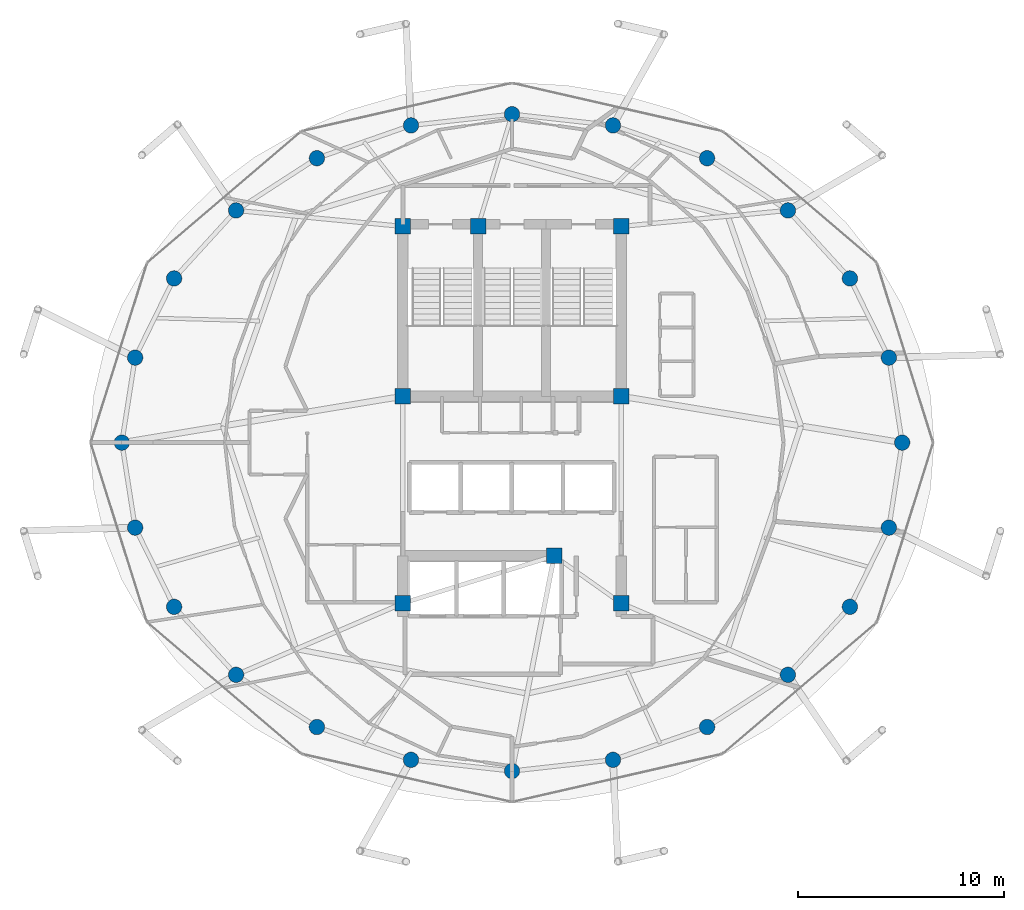
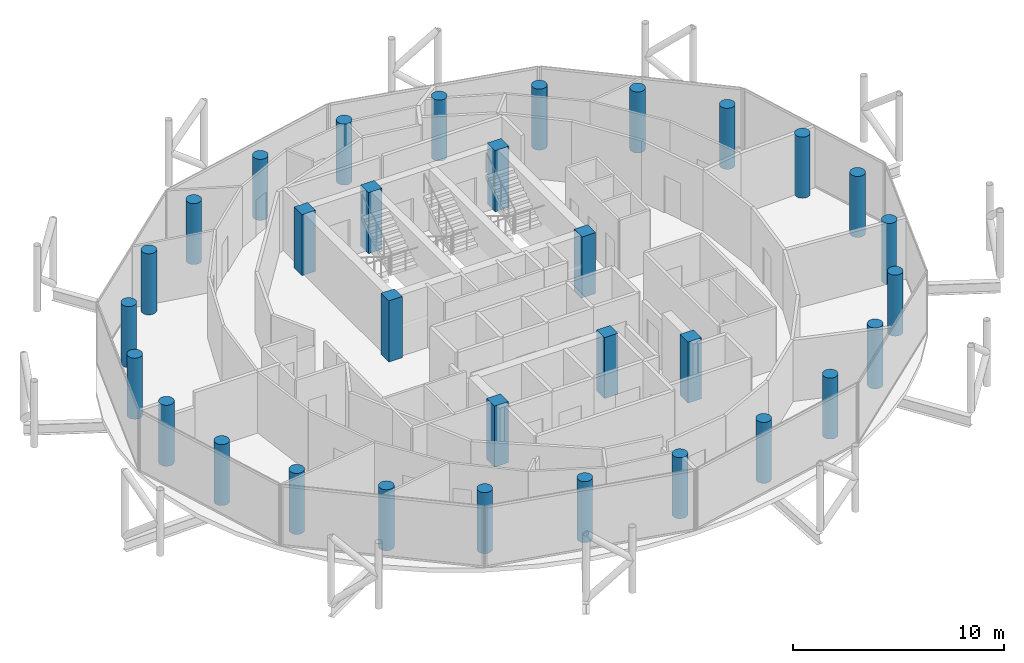
# One storey, part 1 of 24: 32 columns.
"""IFC4 building model written with IfcOpenShell, lengths in metres."""

from ifc_helpers import new_model, si_unit, direction, frame, origin, origin_2d, place, context, subcontext, project, spatial, rectangle, circle, extrude, material, material_profile, profile_set, type_object, element, save


model = new_model("IFC4")

# Units and contexts
model_context = context("Model", 3, precision=1e-05, world=origin(), true_north=direction((0.0, 1.0)))
body_context = subcontext(model_context, "Body", "Model", "MODEL_VIEW")
ifc_project = project(units=[si_unit("LENGTHUNIT", "METRE"), si_unit("AREAUNIT", "SQUARE_METRE"), si_unit("VOLUMEUNIT", "CUBIC_METRE"), si_unit("PLANEANGLEUNIT", "RADIAN"), si_unit("MASSUNIT", "GRAM", prefix="KILO")], contexts=[model_context])

# Site, building, storey
site_placement = place(None, origin())
site = spatial("IfcSite", under=ifc_project, at=site_placement, CompositionType="ELEMENT")
building_placement = place(site_placement, origin())
building = spatial("IfcBuilding", under=site, at=building_placement, Name="Nuhasar Tower", CompositionType="ELEMENT")
storey_placement = place(building_placement, frame((0.0, 0.0, 289.800048828125)))
storey = spatial("IfcBuildingStorey", under=building, at=storey_placement, Name="L72", CompositionType="ELEMENT", Elevation=289.800048828125)

# Columns
ifc_material = material(Name="Concrete C50/60", Category="concrete")
ifc_material_profile_1 = material_profile(ifc_material, circle(Radius=0.375, at=origin_2d()), Name="CFT750")
ifc_profile_set_1 = profile_set([ifc_material_profile_1], Name="Concrete C50/60")
column_type_1 = type_object("IfcColumnType", Name="COL-CFT-750", PredefinedType="COLUMN", material=ifc_profile_set_1)
for number, where, z_axis, x_axis, name in (
    (1, (57.949951171875, 26.800048828125, 0.0), (0.0, 0.0, 1.0), (1.0, 0.0, 0.0), "L72 Perimeter Composite Column TC-01"),
    (2, (57.303955078125, 30.927978515625, 0.0), (0.0, 0.0, 1.0), (1.0, 0.0, 0.0), "L72 Perimeter Composite Column TC-02"),
    (3, (55.410888671875, 34.77490234375, 0.0), (0.0, 0.0, 1.0), (1.0, 0.0, 0.0), "L72 Perimeter Composite Column TC-03"),
    (4, (52.39990234375, 38.077880859375, 0.0), (0.0, 0.0, 1.0), (1.0, 0.0, 0.0), "L72 Perimeter Composite Column TC-04"),
    (5, (48.47509765625, 40.613037109375, 0.0), (0.0, 0.0, 1.0), (1.0, 0.0, 0.0), "L72 Perimeter Composite Column TC-05"),
    (6, (43.905029296875, 42.20703125, 0.0), (0.0, 0.0, 1.0), (1.0, 0.0, 0.0), "L72 Perimeter Composite Column TC-06"),
    (7, (39.0, 42.75, 0.0), (0.0, 0.0, 1.0), (1.0, 0.0, 0.0), "L72 Perimeter Composite Column TC-07"),
    (8, (34.094970703125, 42.20703125, 0.0), (0.0, 0.0, 1.0), (1.0, 0.0, 0.0), "L72 Perimeter Composite Column TC-08"),
    (9, (29.52490234375, 40.613037109375, 0.0), (0.0, 0.0, 1.0), (1.0, 0.0, 0.0), "L72 Perimeter Composite Column TC-09"),
    (10, (25.60009765625, 38.077880859375, 0.0), (0.0, 0.0, 1.0), (1.0, 0.0, 0.0), "L72 Perimeter Composite Column TC-10"),
    (11, (22.589111328125, 34.77490234375, 0.0), (0.0, 0.0, 1.0), (1.0, 0.0, 0.0), "L72 Perimeter Composite Column TC-11"),
    (12, (20.696044921875, 30.927978515625, 0.0), (0.0, 0.0, 1.0), (1.0, 0.0, 0.0), "L72 Perimeter Composite Column TC-12"),
    (13, (20.050048828125, 26.800048828125, 0.0), (0.0, 0.0, 1.0), (1.0, 0.0, 0.0), "L72 Perimeter Composite Column TC-13"),
    (14, (20.696044921875, 22.672119140625, 0.0), (0.0, 0.0, 1.0), (1.0, 0.0, 0.0), "L72 Perimeter Composite Column TC-14"),
    (15, (22.589111328125, 18.824951171875, 0.0), (0.0, 0.0, 1.0), (1.0, 0.0, 0.0), "L72 Perimeter Composite Column TC-15"),
    (16, (25.60009765625, 15.52197265625, 0.0), (0.0, 0.0, 1.0), (1.0, 0.0, 0.0), "L72 Perimeter Composite Column TC-16"),
    (17, (29.52490234375, 12.987060546875, 0.0), (0.0, 0.0, 1.0), (1.0, 0.0, 0.0), "L72 Perimeter Composite Column TC-17"),
    (18, (34.094970703125, 11.39306640625, 0.0), (0.0, 0.0, 1.0), (1.0, 0.0, 0.0), "L72 Perimeter Composite Column TC-18"),
    (19, (39.0, 10.85009765625, 0.0), (0.0, 0.0, 1.0), (1.0, 0.0, 0.0), "L72 Perimeter Composite Column TC-19"),
    (20, (43.905029296875, 11.39306640625, 0.0), (0.0, 0.0, 1.0), (1.0, 0.0, 0.0), "L72 Perimeter Composite Column TC-20"),
    (21, (48.47509765625, 12.987060546875, 0.0), (0.0, 0.0, 1.0), (1.0, 0.0, 0.0), "L72 Perimeter Composite Column TC-21"),
    (22, (52.39990234375, 15.52197265625, 0.0), (0.0, 0.0, 1.0), (1.0, 0.0, 0.0), "L72 Perimeter Composite Column TC-22"),
    (23, (55.410888671875, 18.824951171875, 0.0), (0.0, 0.0, 1.0), (1.0, 0.0, 0.0), "L72 Perimeter Composite Column TC-23"),
    (24, (57.303955078125, 22.672119140625, 0.0), (0.0, 0.0, 1.0), (1.0, 0.0, 0.0), "L72 Perimeter Composite Column TC-24"),
):
    element("IfcColumn", number, at=place(storey_placement, frame(where, z_axis=z_axis, x_axis=x_axis)), inside=storey, type_object=column_type_1, Name=name, PredefinedType="COLUMN", context=body_context, shape_type="SweptSolid", body=[
        extrude(circle(Radius=0.375, at=origin_2d()), origin(), (0.0, 0.0, 1.0), 3.5400390625),
    ])
ifc_material_profile_2 = material_profile(ifc_material, rectangle(XDim=0.75, YDim=0.75, at=origin_2d()), Name="RC750X750")
ifc_profile_set_2 = profile_set([ifc_material_profile_2], Name="Concrete C50/60")
column_type_2 = type_object("IfcColumnType", Name="PIL-RC-750", PredefinedType="PILASTER", material=ifc_profile_set_2)
for number, where, z_axis, x_axis, name in (
    (25, (33.699951171875, 19.0, 0.0), (0.0, 0.0, 1.0), (1.0, 0.0, 0.0), "L72 Core Boundary Pilaster CC-01"),
    (26, (41.050048828125, 21.300048828125, 0.0), (0.0, 0.0, 1.0), (1.0, 0.0, 0.0), "L72 Core Boundary Pilaster CC-02"),
    (27, (44.300048828125, 19.0, 0.0), (0.0, 0.0, 1.0), (1.0, 0.0, 0.0), "L72 Core Boundary Pilaster CC-03"),
    (28, (44.300048828125, 29.050048828125, 0.0), (0.0, 0.0, 1.0), (1.0, 0.0, 0.0), "L72 Core Boundary Pilaster CC-04"),
    (29, (44.300048828125, 37.300048828125, 0.0), (0.0, 0.0, 1.0), (1.0, 0.0, 0.0), "L72 Core Boundary Pilaster CC-05"),
    (30, (37.35009765625, 37.300048828125, 0.0), (0.0, 0.0, 1.0), (1.0, 0.0, 0.0), "L72 Core Boundary Pilaster CC-06"),
    (31, (33.699951171875, 37.300048828125, 0.0), (0.0, 0.0, 1.0), (1.0, 0.0, 0.0), "L72 Core Boundary Pilaster CC-07"),
    (32, (33.699951171875, 29.050048828125, 0.0), (0.0, 0.0, 1.0), (1.0, 0.0, 0.0), "L72 Core Boundary Pilaster CC-08"),
):
    element("IfcColumn", number, at=place(storey_placement, frame(where, z_axis=z_axis, x_axis=x_axis)), inside=storey, type_object=column_type_2, Name=name, PredefinedType="PILASTER", context=body_context, shape_type="SweptSolid", body=[
        extrude(rectangle(XDim=0.75, YDim=0.75, at=origin_2d()), origin(), (0.0, 0.0, 1.0), 3.5400390625),
    ])

save(model, "model.ifc")
